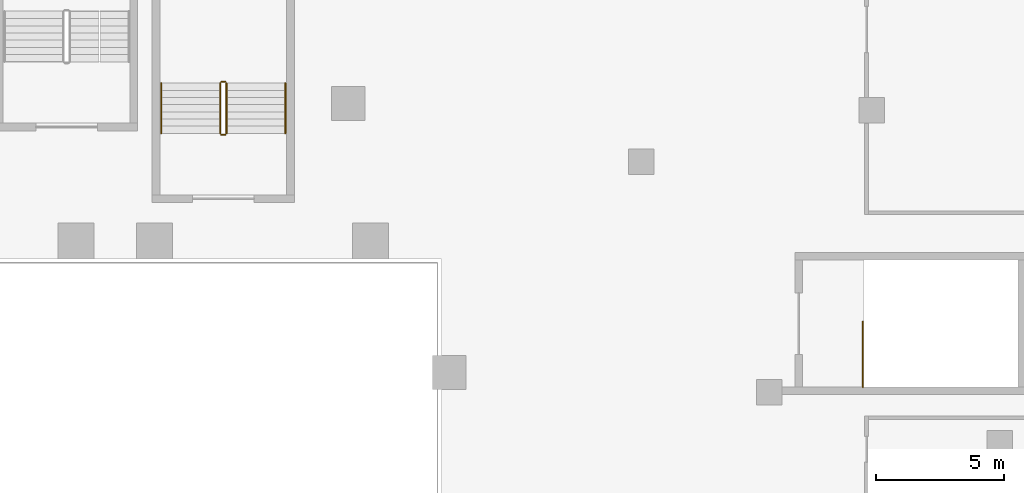
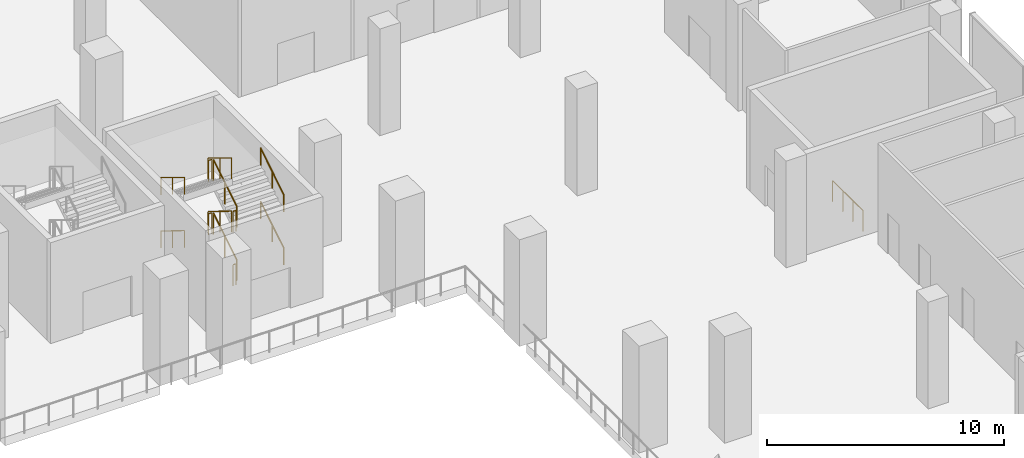
# One storey, part 23 of 25: 13 railings.
"""IFC4 building model written with IfcOpenShell, lengths in metres."""

from ifc_helpers import new_model, si_unit, direction, frame, origin, origin_2d, place, context, subcontext, project, spatial, circle, extrude, material, type_object, element, save


model = new_model("IFC4")

# Units and contexts
model_context = context("Model", 3, precision=1e-05, world=origin(), true_north=direction((0.0, 1.0)))
body_context = subcontext(model_context, "Body", "Model", "MODEL_VIEW")
ifc_project = project(units=[si_unit("LENGTHUNIT", "METRE"), si_unit("AREAUNIT", "SQUARE_METRE"), si_unit("VOLUMEUNIT", "CUBIC_METRE"), si_unit("PLANEANGLEUNIT", "RADIAN"), si_unit("MASSUNIT", "GRAM", prefix="KILO")], contexts=[model_context])

# Site, building, storey
site_placement = place(None, origin())
site = spatial("IfcSite", under=ifc_project, at=site_placement, CompositionType="ELEMENT")
building_placement = place(site_placement, origin())
building = spatial("IfcBuilding", under=site, at=building_placement, Name="Wharfspan Tower", CompositionType="ELEMENT")
storey_placement = place(building_placement, frame((0.0, 0.0, 27.5)))
storey = spatial("IfcBuildingStorey", under=building, at=storey_placement, Name="L04", CompositionType="ELEMENT", Elevation=27.5)

# Railings
ifc_material = material(Name="Steel S355J2", Category="steel")
railing_type_1 = type_object("IfcRailingType", Name="Podium guard 1100", PredefinedType="GUARDRAIL", material=ifc_material)
railing_1_placement = place(storey_placement, frame((99.649902, 20.199951, 0.0)))
element("IfcRailing", 1, at=railing_1_placement, inside=storey, type_object=railing_type_1, Name="L04 AS4 top well guard 1", PredefinedType="GUARDRAIL", context=body_context, shape_type="SweptSolid", body=[
    extrude(circle(Radius=0.023926, at=origin_2d()), frame((0.0, 0.0, 1.076172), z_axis=(0.0, 1.0, 0.0), x_axis=(-1.0, 0.0, 0.0)), (0.0, 0.0, 1.0), 2.550049),
    extrude(circle(Radius=0.020996, at=origin_2d()), origin(), (0.0, 0.0, 1.0), 1.052002),
    extrude(circle(Radius=0.020996, at=origin_2d()), frame((0.0, 0.850098, 0.0)), (0.0, 0.0, 1.0), 1.052002),
    extrude(circle(Radius=0.020996, at=origin_2d()), frame((0.0, 1.699951, 0.0)), (0.0, 0.0, 1.0), 1.052002),
    extrude(circle(Radius=0.020996, at=origin_2d()), frame((0.0, 2.550049, 0.0)), (0.0, 0.0, 1.0), 1.052002),
])
railing_2_placement = place(storey_placement, frame((74.817383, 30.100098, 0.171875)))
element("IfcRailing", 2, at=railing_2_placement, inside=storey, type_object=railing_type_1, Name="L04 PS5 stair guard 1", PredefinedType="GUARDRAIL", context=body_context, shape_type="SweptSolid", body=[
    extrude(circle(Radius=0.023926, at=origin_2d()), frame((0.0, 0.0, 1.076172), z_axis=(0.0, 0.852241, 0.523149), x_axis=(-1.0, 0.0, 0.0)), (0.0, 0.0, 1.0), 2.299805),
    extrude(circle(Radius=0.020996, at=origin_2d()), origin(), (0.0, 0.0, 1.0), 1.052002),
    extrude(circle(Radius=0.020996, at=origin_2d()), frame((0.0, 0.97998, 0.601562)), (0.0, 0.0, 1.0), 1.052002),
    extrude(circle(Radius=0.020996, at=origin_2d()), frame((0.0, 1.959961, 1.203125)), (0.0, 0.0, 1.0), 1.052002),
])
railing_3_placement = place(storey_placement, frame((74.767578, 32.110107, 1.375)))
element("IfcRailing", 3, at=railing_3_placement, inside=storey, type_object=railing_type_1, Name="L04 PS5 stair guard 2", PredefinedType="GUARDRAIL", context=body_context, shape_type="SweptSolid", body=[
    extrude(circle(Radius=0.023926, at=origin_2d()), frame((0.0, 0.0, 1.076172), z_axis=(-1.0, 0.0, 0.0), x_axis=(0.0, -1.0, 0.0)), (0.0, 0.0, 1.0), 0.150146),
    extrude(circle(Radius=0.020996, at=origin_2d()), origin(), (0.0, 0.0, 1.0), 1.052002),
    extrude(circle(Radius=0.020996, at=origin_2d()), frame((-0.150146, 0.0, 0.0)), (0.0, 0.0, 1.0), 1.052002),
])
railing_4_placement = place(storey_placement, frame((74.567383, 32.060059, 1.546875)))
element("IfcRailing", 4, at=railing_4_placement, inside=storey, type_object=railing_type_1, Name="L04 PS5 stair guard 3", PredefinedType="GUARDRAIL", context=body_context, shape_type="SweptSolid", body=[
    extrude(circle(Radius=0.023926, at=origin_2d()), frame((0.0, 0.0, 1.076172), z_axis=(0.0, -0.852241, 0.523149), x_axis=(1.0, 0.0, 0.0)), (0.0, 0.0, 1.0), 2.299805),
    extrude(circle(Radius=0.020996, at=origin_2d()), origin(), (0.0, 0.0, 1.0), 1.052002),
    extrude(circle(Radius=0.020996, at=origin_2d()), frame((0.0, -0.97998, 0.601562)), (0.0, 0.0, 1.0), 1.052002),
    extrude(circle(Radius=0.020996, at=origin_2d()), frame((0.0, -1.959961, 1.203125)), (0.0, 0.0, 1.0), 1.052002),
])
railing_5_placement = place(storey_placement, frame((74.767578, 30.050049, 2.75)))
element("IfcRailing", 5, at=railing_5_placement, inside=storey, type_object=railing_type_1, Name="L04 PS5 stair guard 4", PredefinedType="GUARDRAIL", context=body_context, shape_type="SweptSolid", body=[
    extrude(circle(Radius=0.023926, at=origin_2d()), frame((0.0, 0.0, 1.076172), z_axis=(-1.0, 0.0, 0.0), x_axis=(0.0, -1.0, 0.0)), (0.0, 0.0, 1.0), 0.150146),
    extrude(circle(Radius=0.020996, at=origin_2d()), origin(), (0.0, 0.0, 1.0), 1.052002),
    extrude(circle(Radius=0.020996, at=origin_2d()), frame((-0.150146, 0.0, 0.0)), (0.0, 0.0, 1.0), 1.052002),
])
railing_6_placement = place(storey_placement, frame((74.817383, 30.100098, 2.921875)))
element("IfcRailing", 6, at=railing_6_placement, inside=storey, type_object=railing_type_1, Name="L04 PS5 stair guard 5", PredefinedType="GUARDRAIL", context=body_context, shape_type="SweptSolid", body=[
    extrude(circle(Radius=0.023926, at=origin_2d()), frame((0.0, 0.0, 1.076172), z_axis=(0.0, 0.852241, 0.523149), x_axis=(-1.0, 0.0, 0.0)), (0.0, 0.0, 1.0), 2.299805),
    extrude(circle(Radius=0.020996, at=origin_2d()), origin(), (0.0, 0.0, 1.0), 1.052002),
    extrude(circle(Radius=0.020996, at=origin_2d()), frame((0.0, 0.97998, 0.601562)), (0.0, 0.0, 1.0), 1.052002),
    extrude(circle(Radius=0.020996, at=origin_2d()), frame((0.0, 1.959961, 1.203125)), (0.0, 0.0, 1.0), 1.052002),
])
railing_7_placement = place(storey_placement, frame((74.767578, 32.110107, 4.125)))
element("IfcRailing", 7, at=railing_7_placement, inside=storey, type_object=railing_type_1, Name="L04 PS5 stair guard 6", PredefinedType="GUARDRAIL", context=body_context, shape_type="SweptSolid", body=[
    extrude(circle(Radius=0.023926, at=origin_2d()), frame((0.0, 0.0, 1.076172), z_axis=(-1.0, 0.0, 0.0), x_axis=(0.0, -1.0, 0.0)), (0.0, 0.0, 1.0), 0.150146),
    extrude(circle(Radius=0.020996, at=origin_2d()), origin(), (0.0, 0.0, 1.0), 1.052002),
    extrude(circle(Radius=0.020996, at=origin_2d()), frame((-0.150146, 0.0, 0.0)), (0.0, 0.0, 1.0), 1.052002),
])
railing_8_placement = place(storey_placement, frame((74.567383, 32.060059, 4.296875)))
element("IfcRailing", 8, at=railing_8_placement, inside=storey, type_object=railing_type_1, Name="L04 PS5 stair guard 7", PredefinedType="GUARDRAIL", context=body_context, shape_type="SweptSolid", body=[
    extrude(circle(Radius=0.023926, at=origin_2d()), frame((0.0, 0.0, 1.076172), z_axis=(0.0, -0.852241, 0.523149), x_axis=(1.0, 0.0, 0.0)), (0.0, 0.0, 1.0), 2.299805),
    extrude(circle(Radius=0.020996, at=origin_2d()), origin(), (0.0, 0.0, 1.0), 1.052002),
    extrude(circle(Radius=0.020996, at=origin_2d()), frame((0.0, -0.97998, 0.601562)), (0.0, 0.0, 1.0), 1.052002),
    extrude(circle(Radius=0.020996, at=origin_2d()), frame((0.0, -1.959961, 1.203125)), (0.0, 0.0, 1.0), 1.052002),
])
railing_9_placement = place(storey_placement, frame((74.767578, 30.050049, 0.0)))
element("IfcRailing", 9, at=railing_9_placement, inside=storey, type_object=railing_type_1, Name="L04 PS5 stair guard 8", PredefinedType="GUARDRAIL", context=body_context, shape_type="SweptSolid", body=[
    extrude(circle(Radius=0.023926, at=origin_2d()), frame((0.0, 0.0, 1.076172), z_axis=(-1.0, 0.0, 0.0), x_axis=(0.0, -1.0, 0.0)), (0.0, 0.0, 1.0), 0.150146),
    extrude(circle(Radius=0.020996, at=origin_2d()), origin(), (0.0, 0.0, 1.0), 1.052002),
    extrude(circle(Radius=0.020996, at=origin_2d()), frame((-0.150146, 0.0, 0.0)), (0.0, 0.0, 1.0), 1.052002),
])
railing_type_2 = type_object("IfcRailingType", Name="Podium stair handrail 900", PredefinedType="HANDRAIL", material=ifc_material)
railing_10_placement = place(storey_placement, frame((77.117432, 30.100098, 0.171875)))
element("IfcRailing", 10, at=railing_10_placement, inside=storey, type_object=railing_type_2, Name="L04 PS5 stair handrail 1", PredefinedType="HANDRAIL", context=body_context, shape_type="SweptSolid", body=[
    extrude(circle(Radius=0.023926, at=origin_2d()), frame((0.0, 0.0, 0.875977), z_axis=(0.0, 0.852241, 0.523149), x_axis=(-1.0, 0.0, 0.0)), (0.0, 0.0, 1.0), 2.299805),
    extrude(circle(Radius=0.020996, at=origin_2d()), origin(), (0.0, 0.0, 1.0), 0.851807),
    extrude(circle(Radius=0.020996, at=origin_2d()), frame((0.0, 0.97998, 0.601562)), (0.0, 0.0, 1.0), 0.851807),
    extrude(circle(Radius=0.020996, at=origin_2d()), frame((0.0, 1.959961, 1.203125)), (0.0, 0.0, 1.0), 0.851807),
])
railing_11_placement = place(storey_placement, frame((72.267578, 32.060059, 1.546875)))
element("IfcRailing", 11, at=railing_11_placement, inside=storey, type_object=railing_type_2, Name="L04 PS5 stair handrail 2", PredefinedType="HANDRAIL", context=body_context, shape_type="SweptSolid", body=[
    extrude(circle(Radius=0.023926, at=origin_2d()), frame((0.0, 0.0, 0.875977), z_axis=(0.0, -0.852241, 0.523149), x_axis=(1.0, 0.0, 0.0)), (0.0, 0.0, 1.0), 2.299805),
    extrude(circle(Radius=0.020996, at=origin_2d()), origin(), (0.0, 0.0, 1.0), 0.851807),
    extrude(circle(Radius=0.020996, at=origin_2d()), frame((0.0, -0.97998, 0.601562)), (0.0, 0.0, 1.0), 0.851807),
    extrude(circle(Radius=0.020996, at=origin_2d()), frame((0.0, -1.959961, 1.203125)), (0.0, 0.0, 1.0), 0.851807),
])
railing_12_placement = place(storey_placement, frame((77.117432, 30.100098, 2.921875)))
element("IfcRailing", 12, at=railing_12_placement, inside=storey, type_object=railing_type_2, Name="L04 PS5 stair handrail 3", PredefinedType="HANDRAIL", context=body_context, shape_type="SweptSolid", body=[
    extrude(circle(Radius=0.023926, at=origin_2d()), frame((0.0, 0.0, 0.875977), z_axis=(0.0, 0.852241, 0.523149), x_axis=(-1.0, 0.0, 0.0)), (0.0, 0.0, 1.0), 2.299805),
    extrude(circle(Radius=0.020996, at=origin_2d()), origin(), (0.0, 0.0, 1.0), 0.851807),
    extrude(circle(Radius=0.020996, at=origin_2d()), frame((0.0, 0.97998, 0.601562)), (0.0, 0.0, 1.0), 0.851807),
    extrude(circle(Radius=0.020996, at=origin_2d()), frame((0.0, 1.959961, 1.203125)), (0.0, 0.0, 1.0), 0.851807),
])
railing_13_placement = place(storey_placement, frame((72.267578, 32.060059, 4.296875)))
element("IfcRailing", 13, at=railing_13_placement, inside=storey, type_object=railing_type_2, Name="L04 PS5 stair handrail 4", PredefinedType="HANDRAIL", context=body_context, shape_type="SweptSolid", body=[
    extrude(circle(Radius=0.023926, at=origin_2d()), frame((0.0, 0.0, 0.875977), z_axis=(0.0, -0.852241, 0.523149), x_axis=(1.0, 0.0, 0.0)), (0.0, 0.0, 1.0), 2.299805),
    extrude(circle(Radius=0.020996, at=origin_2d()), origin(), (0.0, 0.0, 1.0), 0.851807),
    extrude(circle(Radius=0.020996, at=origin_2d()), frame((0.0, -0.97998, 0.601562)), (0.0, 0.0, 1.0), 0.851807),
    extrude(circle(Radius=0.020996, at=origin_2d()), frame((0.0, -1.959961, 1.203125)), (0.0, 0.0, 1.0), 0.851807),
])

save(model, "model.ifc")
